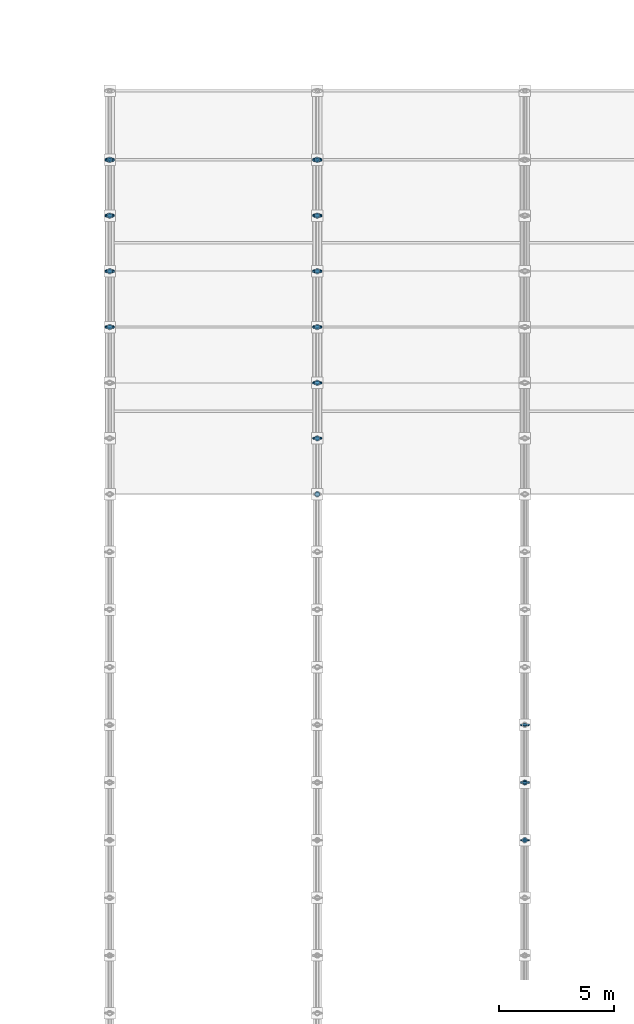
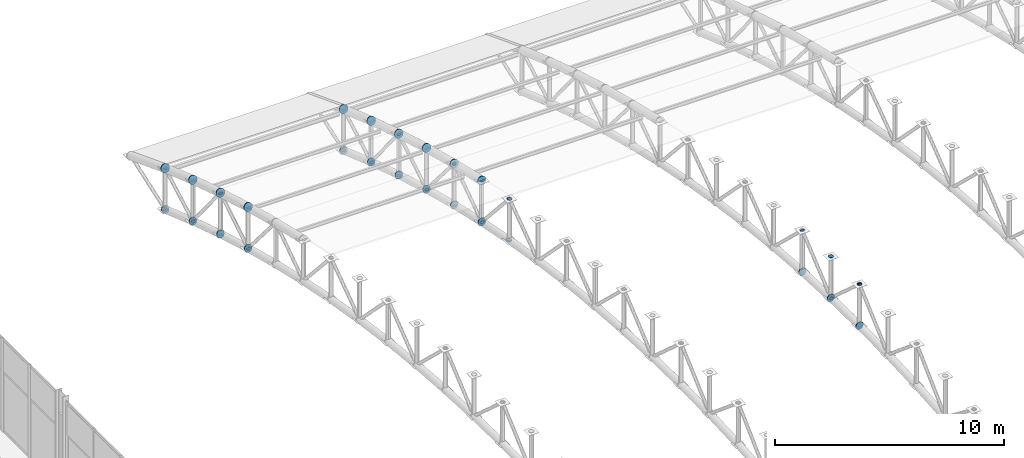
# One storey, part 156 of 195: 94 discrete accessories.
"""IFC4 building model written with IfcOpenShell, lengths in metres."""

from ifc_helpers import new_model, si_unit, direction, frame, origin, origin_2d, place, context, subcontext, project, spatial, circle, extrude, material, element, save


model = new_model("IFC4")

# Units and contexts
model_context = context("Model", 3, precision=1e-05, world=origin(), true_north=direction((0.0, 1.0)))
body_context = subcontext(model_context, "Body", "Model", "MODEL_VIEW")
ifc_project = project(units=[si_unit("LENGTHUNIT", "METRE"), si_unit("AREAUNIT", "SQUARE_METRE"), si_unit("VOLUMEUNIT", "CUBIC_METRE"), si_unit("PLANEANGLEUNIT", "RADIAN"), si_unit("MASSUNIT", "GRAM", prefix="KILO")], contexts=[model_context])

# Site, building, storey
site_placement = place(None, origin())
site = spatial("IfcSite", under=ifc_project, at=site_placement, CompositionType="ELEMENT")
building_placement = place(site_placement, origin())
building = spatial("IfcBuilding", under=site, at=building_placement, Name="Marlcrest Central Station", CompositionType="ELEMENT")
storey_placement = place(building_placement, frame((0.0, 0.0, 9.800048828125)))
storey = spatial("IfcBuildingStorey", under=building, at=storey_placement, Name="L02", CompositionType="ELEMENT", Elevation=9.800048828125)

# Discrete accessories
ifc_material = material(Name="Steel S355", Category="steel")
discrete_accessory_1_placement = place(storey_placement, frame((144.0, 88.225830078125, 3.934326171875), z_axis=(0.0, 0.967539481681, -0.252719906989), x_axis=(-1.0, 0.0, 0.0)))
element("IfcDiscreteAccessory", 1, at=discrete_accessory_1_placement, inside=storey, material=ifc_material, Name="endcap-mem-AC-01-L02-01172-e", ObjectType="END_CAP_PLATE", PredefinedType="BRACKET", context=body_context, shape_type="SweptSolid", body=[
    extrude(circle(Radius=0.211181640625, at=origin_2d()), origin(), (0.0, 0.0, 1.0), 0.0400390625),
])
discrete_accessory_2_placement = place(storey_placement, frame((144.0, 88.225830078125, 1.734375), z_axis=(0.0, 0.967563345928, -0.252628524946), x_axis=(-1.0, 0.0, 0.0)))
element("IfcDiscreteAccessory", 2, at=discrete_accessory_2_placement, inside=storey, material=ifc_material, Name="endcap-mem-AC-02-L02-01173-e", ObjectType="END_CAP_PLATE", PredefinedType="BRACKET", context=body_context, shape_type="SweptSolid", body=[
    extrude(circle(Radius=0.185791015625, at=origin_2d()), origin(), (0.0, 0.0, 1.0), 0.0400390625),
])
discrete_accessory_3_placement = place(storey_placement, frame((144.0, 88.233642578125, 1.7470703125), z_axis=(0.0, 0.649624779144, -0.760254987699), x_axis=(-1.0, 0.0, 0.0)))
element("IfcDiscreteAccessory", 3, at=discrete_accessory_3_placement, inside=storey, material=ifc_material, Name="endcap-mem-AD-01-L02-01175-e", ObjectType="END_CAP_PLATE", PredefinedType="BRACKET", context=body_context, shape_type="SweptSolid", body=[
    extrude(circle(Radius=0.092041015625, at=origin_2d()), origin(), (0.0, 0.0, 1.0), 0.0400390625),
])
for number, where, z_axis, x_axis, name in (
    (4, (144.0, 88.235595703125, 3.93212890625), (0.0, 0.960130083362, -0.27955361386), (-1.0, 0.0, 0.0), "endcap-mem-AC-01-L02-01176-s"),
    (5, (144.0, 90.64599609375, 3.23046875), (0.0, 0.960130083362, -0.27955361386), (-1.0, 0.0, 0.0), "endcap-mem-AC-01-L02-01176-e"),
):
    element("IfcDiscreteAccessory", number, at=place(storey_placement, frame(where, z_axis=z_axis, x_axis=x_axis)), inside=storey, material=ifc_material, Name=name, ObjectType="END_CAP_PLATE", PredefinedType="BRACKET", context=body_context, shape_type="SweptSolid", body=[
        extrude(circle(Radius=0.211181640625, at=origin_2d()), origin(), (0.0, 0.0, 1.0), 0.0400390625),
    ])
for number, where, z_axis, x_axis, name in (
    (6, (144.0, 88.235595703125, 1.732177734375), (0.0, 0.960130083362, -0.27955361386), (-1.0, 0.0, 0.0), "endcap-mem-AC-02-L02-01177-s"),
    (7, (144.0, 90.64599609375, 1.030517578125), (0.0, 0.960130083362, -0.27955361386), (-1.0, 0.0, 0.0), "endcap-mem-AC-02-L02-01177-e"),
):
    element("IfcDiscreteAccessory", number, at=place(storey_placement, frame(where, z_axis=z_axis, x_axis=x_axis)), inside=storey, material=ifc_material, Name=name, ObjectType="END_CAP_PLATE", PredefinedType="BRACKET", context=body_context, shape_type="SweptSolid", body=[
        extrude(circle(Radius=0.185791015625, at=origin_2d()), origin(), (0.0, 0.0, 1.0), 0.0400390625),
    ])
for number, where, z_axis, x_axis, name in (
    (8, (144.0, 88.25, 1.713134765625), (0.0, 0.0, 1.0), (1.0, 0.0, 0.0), "endcap-mem-AP-01-L02-01178-s"),
    (9, (144.0, 88.25, 3.903076171875), (0.0, 0.0, 1.0), (1.0, 0.0, 0.0), "endcap-mem-AP-01-L02-01178-e"),
):
    element("IfcDiscreteAccessory", number, at=place(storey_placement, frame(where, z_axis=z_axis, x_axis=x_axis)), inside=storey, material=ifc_material, Name=name, ObjectType="END_CAP_PLATE", PredefinedType="BRACKET", context=body_context, shape_type="SweptSolid", body=[
        extrude(circle(Radius=0.117431640625, at=origin_2d()), origin(), (0.0, 0.0, 1.0), 0.0400390625),
    ])
for number, where, z_axis, x_axis, name in (
    (10, (144.0, 88.2373046875, 1.72021484375), (0.0, 0.850687380038, 0.525671933286), (-1.0, 0.0, 0.0), "endcap-mem-AD-01-L02-01179-s"),
    (11, (144.0, 90.648681640625, 3.210205078125), (0.0, 0.850687380038, 0.525671933286), (-1.0, 0.0, 0.0), "endcap-mem-AD-01-L02-01179-e"),
):
    element("IfcDiscreteAccessory", number, at=place(storey_placement, frame(where, z_axis=z_axis, x_axis=x_axis)), inside=storey, material=ifc_material, Name=name, ObjectType="END_CAP_PLATE", PredefinedType="BRACKET", context=body_context, shape_type="SweptSolid", body=[
        extrude(circle(Radius=0.092041015625, at=origin_2d()), origin(), (0.0, 0.0, 1.0), 0.0400390625),
    ])
for number, where, z_axis, x_axis, name in (
    (12, (144.0, 90.65576171875, 3.22802734375), (0.0, 0.952116828449, -0.305734435391), (-1.0, 0.0, 0.0), "endcap-mem-AC-01-L02-01180-s"),
    (13, (144.0, 93.056396484375, 2.45703125), (0.0, 0.952116828449, -0.305734435391), (-1.0, 0.0, 0.0), "endcap-mem-AC-01-L02-01180-e"),
):
    element("IfcDiscreteAccessory", number, at=place(storey_placement, frame(where, z_axis=z_axis, x_axis=x_axis)), inside=storey, material=ifc_material, Name=name, ObjectType="END_CAP_PLATE", PredefinedType="BRACKET", context=body_context, shape_type="SweptSolid", body=[
        extrude(circle(Radius=0.211181640625, at=origin_2d()), origin(), (0.0, 0.0, 1.0), 0.0400390625),
    ])
for number, where, z_axis, x_axis, name in (
    (14, (144.0, 90.65576171875, 1.028076171875), (0.0, 0.952116828449, -0.305734435391), (-1.0, 0.0, 0.0), "endcap-mem-AC-02-L02-01181-s"),
    (15, (144.0, 93.056396484375, 0.257080078125), (0.0, 0.952116828449, -0.305734435391), (-1.0, 0.0, 0.0), "endcap-mem-AC-02-L02-01181-e"),
):
    element("IfcDiscreteAccessory", number, at=place(storey_placement, frame(where, z_axis=z_axis, x_axis=x_axis)), inside=storey, material=ifc_material, Name=name, ObjectType="END_CAP_PLATE", PredefinedType="BRACKET", context=body_context, shape_type="SweptSolid", body=[
        extrude(circle(Radius=0.185791015625, at=origin_2d()), origin(), (0.0, 0.0, 1.0), 0.0400390625),
    ])
for number, where, z_axis, x_axis, name in (
    (16, (144.0, 90.669921875, 1.008544921875), (0.0, 0.0, 1.0), (1.0, 0.0, 0.0), "endcap-mem-AP-01-L02-01182-s"),
    (17, (144.0, 90.669921875, 3.198486328125), (0.0, 0.0, 1.0), (1.0, 0.0, 0.0), "endcap-mem-AP-01-L02-01182-e"),
):
    element("IfcDiscreteAccessory", number, at=place(storey_placement, frame(where, z_axis=z_axis, x_axis=x_axis)), inside=storey, material=ifc_material, Name=name, ObjectType="END_CAP_PLATE", PredefinedType="BRACKET", context=body_context, shape_type="SweptSolid", body=[
        extrude(circle(Radius=0.117431640625, at=origin_2d()), origin(), (0.0, 0.0, 1.0), 0.0400390625),
    ])
for number, where, z_axis, x_axis, name in (
    (18, (144.0, 90.660400390625, 3.235107421875), (0.0, 0.62962929743, -0.776895712318), (-1.0, 0.0, 0.0), "endcap-mem-AD-01-L02-01183-s"),
    (19, (144.0, 93.064453125, 0.26904296875), (0.0, 0.62962929743, -0.776895712318), (-1.0, 0.0, 0.0), "endcap-mem-AD-01-L02-01183-e"),
):
    element("IfcDiscreteAccessory", number, at=place(storey_placement, frame(where, z_axis=z_axis, x_axis=x_axis)), inside=storey, material=ifc_material, Name=name, ObjectType="END_CAP_PLATE", PredefinedType="BRACKET", context=body_context, shape_type="SweptSolid", body=[
        extrude(circle(Radius=0.092041015625, at=origin_2d()), origin(), (0.0, 0.0, 1.0), 0.0400390625),
    ])
for number, where, z_axis, x_axis, name in (
    (20, (144.0, 93.06591796875, 2.454345703125), (0.0, 0.94353735649, -0.331266142109), (-1.0, 0.0, 0.0), "endcap-mem-AC-01-L02-01184-s"),
    (21, (144.0, 95.476318359375, 1.608154296875), (0.0, 0.94353735649, -0.331266142109), (-1.0, 0.0, 0.0), "endcap-mem-AC-01-L02-01184-e"),
):
    element("IfcDiscreteAccessory", number, at=place(storey_placement, frame(where, z_axis=z_axis, x_axis=x_axis)), inside=storey, material=ifc_material, Name=name, ObjectType="END_CAP_PLATE", PredefinedType="BRACKET", context=body_context, shape_type="SweptSolid", body=[
        extrude(circle(Radius=0.211181640625, at=origin_2d()), origin(), (0.0, 0.0, 1.0), 0.0400390625),
    ])
for number, where, z_axis, x_axis, name in (
    (22, (144.0, 93.06591796875, 0.25439453125), (0.0, 0.94353735649, -0.331266142109), (-1.0, 0.0, 0.0), "endcap-mem-AC-02-L02-01185-s"),
    (23, (144.0, 95.476318359375, -0.591796875), (0.0, 0.94353735649, -0.331266142109), (-1.0, 0.0, 0.0), "endcap-mem-AC-02-L02-01185-e"),
):
    element("IfcDiscreteAccessory", number, at=place(storey_placement, frame(where, z_axis=z_axis, x_axis=x_axis)), inside=storey, material=ifc_material, Name=name, ObjectType="END_CAP_PLATE", PredefinedType="BRACKET", context=body_context, shape_type="SweptSolid", body=[
        extrude(circle(Radius=0.185791015625, at=origin_2d()), origin(), (0.0, 0.0, 1.0), 0.0400390625),
    ])
for number, where, z_axis, x_axis, name in (
    (24, (144.0, 93.080078125, 0.234619140625), (0.0, 0.0, 1.0), (1.0, 0.0, 0.0), "endcap-mem-AP-01-L02-01186-s"),
    (25, (144.0, 93.080078125, 2.424560546875), (0.0, 0.0, 1.0), (1.0, 0.0, 0.0), "endcap-mem-AP-01-L02-01186-e"),
):
    element("IfcDiscreteAccessory", number, at=place(storey_placement, frame(where, z_axis=z_axis, x_axis=x_axis)), inside=storey, material=ifc_material, Name=name, ObjectType="END_CAP_PLATE", PredefinedType="BRACKET", context=body_context, shape_type="SweptSolid", body=[
        extrude(circle(Radius=0.117431640625, at=origin_2d()), origin(), (0.0, 0.0, 1.0), 0.0400390625),
    ])
for number, where, z_axis, x_axis, name in (
    (26, (144.0, 93.06689453125, 0.2421875), (0.0, 0.873245653167, 0.487280236851), (-1.0, 0.0, 0.0), "endcap-mem-AD-01-L02-01187-s"),
    (27, (144.0, 95.478271484375, 1.587646484375), (0.0, 0.873245653167, 0.487280236851), (-1.0, 0.0, 0.0), "endcap-mem-AD-01-L02-01187-e"),
):
    element("IfcDiscreteAccessory", number, at=place(storey_placement, frame(where, z_axis=z_axis, x_axis=x_axis)), inside=storey, material=ifc_material, Name=name, ObjectType="END_CAP_PLATE", PredefinedType="BRACKET", context=body_context, shape_type="SweptSolid", body=[
        extrude(circle(Radius=0.092041015625, at=origin_2d()), origin(), (0.0, 0.0, 1.0), 0.0400390625),
    ])
discrete_accessory_4_placement = place(storey_placement, frame((144.0, 95.486083984375, 1.605224609375), z_axis=(0.0, 0.933324071143, -0.359035065453), x_axis=(-1.0, 0.0, 0.0)))
element("IfcDiscreteAccessory", 28, at=discrete_accessory_4_placement, inside=storey, material=ifc_material, Name="endcap-mem-AC-01-L02-01188-s", ObjectType="END_CAP_PLATE", PredefinedType="BRACKET", context=body_context, shape_type="SweptSolid", body=[
    extrude(circle(Radius=0.211181640625, at=origin_2d()), origin(), (0.0, 0.0, 1.0), 0.0400390625),
])
for number, where, z_axis, x_axis, name in (
    (29, (144.0, 95.5, -0.614990234375), (0.0, 0.0, 1.0), (1.0, 0.0, 0.0), "endcap-mem-AP-01-L02-01189-s"),
    (30, (144.0, 95.5, 1.574951171875), (0.0, 0.0, 1.0), (1.0, 0.0, 0.0), "endcap-mem-AP-01-L02-01189-e"),
):
    element("IfcDiscreteAccessory", number, at=place(storey_placement, frame(where, z_axis=z_axis, x_axis=x_axis)), inside=storey, material=ifc_material, Name=name, ObjectType="END_CAP_PLATE", PredefinedType="BRACKET", context=body_context, shape_type="SweptSolid", body=[
        extrude(circle(Radius=0.117431640625, at=origin_2d()), origin(), (0.0, 0.0, 1.0), 0.0400390625),
    ])
discrete_accessory_5_placement = place(storey_placement, frame((144.0, 95.48583984375, -0.60498046875), z_axis=(0.0, 0.944260188635, 0.329200085296), x_axis=(-1.0, 0.0, 0.0)))
element("IfcDiscreteAccessory", 31, at=discrete_accessory_5_placement, inside=storey, material=ifc_material, Name="endcap-mem-AD-01-L02-01190-s", ObjectType="END_CAP_PLATE", PredefinedType="BRACKET", context=body_context, shape_type="SweptSolid", body=[
    extrude(circle(Radius=0.092041015625, at=origin_2d()), origin(), (0.0, 0.0, 1.0), 0.0400390625),
])
discrete_accessory_6_placement = place(storey_placement, frame((153.0, 83.3955078125, 2.921875), z_axis=(0.0, 0.980359417961, -0.197219196874), x_axis=(-1.0, 0.0, 0.0)))
element("IfcDiscreteAccessory", 32, at=discrete_accessory_6_placement, inside=storey, material=ifc_material, Name="endcap-mem-AC-02-L02-01281-e", ObjectType="END_CAP_PLATE", PredefinedType="BRACKET", context=body_context, shape_type="SweptSolid", body=[
    extrude(circle(Radius=0.185791015625, at=origin_2d()), origin(), (0.0, 0.0, 1.0), 0.0400390625),
])
for number, where, z_axis, x_axis, name in (
    (33, (153.0, 81.0, 3.388916015625), (0.0, 0.0, 1.0), (1.0, 0.0, 0.0), "endcap-mem-AP-01-L02-01282-s"),
    (34, (153.0, 81.0, 5.578857421875), (0.0, 0.0, 1.0), (1.0, 0.0, 0.0), "endcap-mem-AP-01-L02-01282-e"),
):
    element("IfcDiscreteAccessory", number, at=place(storey_placement, frame(where, z_axis=z_axis, x_axis=x_axis)), inside=storey, material=ifc_material, Name=name, ObjectType="END_CAP_PLATE", PredefinedType="BRACKET", context=body_context, shape_type="SweptSolid", body=[
        extrude(circle(Radius=0.117431640625, at=origin_2d()), origin(), (0.0, 0.0, 1.0), 0.0400390625),
    ])
for number, where, z_axis, x_axis, name in (
    (35, (153.0, 80.989990234375, 5.614990234375), (0.0, 0.669244457479, -0.743042297675), (-1.0, 0.0, 0.0), "endcap-mem-AD-01-L02-01283-s"),
    (36, (153.0, 83.403076171875, 2.935546875), (0.0, 0.669244457479, -0.743042297675), (-1.0, 0.0, 0.0), "endcap-mem-AD-01-L02-01283-e"),
):
    element("IfcDiscreteAccessory", number, at=place(storey_placement, frame(where, z_axis=z_axis, x_axis=x_axis)), inside=storey, material=ifc_material, Name=name, ObjectType="END_CAP_PLATE", PredefinedType="BRACKET", context=body_context, shape_type="SweptSolid", body=[
        extrude(circle(Radius=0.092041015625, at=origin_2d()), origin(), (0.0, 0.0, 1.0), 0.0400390625),
    ])
for number, where, z_axis, x_axis, name in (
    (37, (153.0, 83.4052734375, 5.120361328125), (0.0, 0.974329612642, -0.225126200004), (-1.0, 0.0, 0.0), "endcap-mem-AC-01-L02-01284-s"),
    (38, (153.0, 85.8056640625, 4.565673828125), (0.0, 0.974329612642, -0.225126200004), (-1.0, 0.0, 0.0), "endcap-mem-AC-01-L02-01284-e"),
):
    element("IfcDiscreteAccessory", number, at=place(storey_placement, frame(where, z_axis=z_axis, x_axis=x_axis)), inside=storey, material=ifc_material, Name=name, ObjectType="END_CAP_PLATE", PredefinedType="BRACKET", context=body_context, shape_type="SweptSolid", body=[
        extrude(circle(Radius=0.211181640625, at=origin_2d()), origin(), (0.0, 0.0, 1.0), 0.0400390625),
    ])
for number, where, z_axis, x_axis, name in (
    (39, (153.0, 83.4052734375, 2.92041015625), (0.0, 0.974307959875, -0.225219891049), (-1.0, 0.0, 0.0), "endcap-mem-AC-02-L02-01285-s"),
    (40, (153.0, 85.8056640625, 2.365478515625), (0.0, 0.974307959875, -0.225219891049), (-1.0, 0.0, 0.0), "endcap-mem-AC-02-L02-01285-e"),
):
    element("IfcDiscreteAccessory", number, at=place(storey_placement, frame(where, z_axis=z_axis, x_axis=x_axis)), inside=storey, material=ifc_material, Name=name, ObjectType="END_CAP_PLATE", PredefinedType="BRACKET", context=body_context, shape_type="SweptSolid", body=[
        extrude(circle(Radius=0.185791015625, at=origin_2d()), origin(), (0.0, 0.0, 1.0), 0.0400390625),
    ])
for number, where, z_axis, x_axis, name in (
    (41, (153.0, 83.419921875, 2.902099609375), (0.0, 0.0, 1.0), (1.0, 0.0, 0.0), "endcap-mem-AP-01-L02-01286-s"),
    (42, (153.0, 83.419921875, 5.092041015625), (0.0, 0.0, 1.0), (1.0, 0.0, 0.0), "endcap-mem-AP-01-L02-01286-e"),
):
    element("IfcDiscreteAccessory", number, at=place(storey_placement, frame(where, z_axis=z_axis, x_axis=x_axis)), inside=storey, material=ifc_material, Name=name, ObjectType="END_CAP_PLATE", PredefinedType="BRACKET", context=body_context, shape_type="SweptSolid", body=[
        extrude(circle(Radius=0.117431640625, at=origin_2d()), origin(), (0.0, 0.0, 1.0), 0.0400390625),
    ])
for number, where, z_axis, x_axis, name in (
    (43, (153.0, 83.407470703125, 2.908447265625), (0.0, 0.82626275624, 0.563284881432), (-1.0, 0.0, 0.0), "endcap-mem-AD-01-L02-01287-s"),
    (44, (153.0, 85.809326171875, 4.5458984375), (0.0, 0.82626275624, 0.563284881432), (-1.0, 0.0, 0.0), "endcap-mem-AD-01-L02-01287-e"),
):
    element("IfcDiscreteAccessory", number, at=place(storey_placement, frame(where, z_axis=z_axis, x_axis=x_axis)), inside=storey, material=ifc_material, Name=name, ObjectType="END_CAP_PLATE", PredefinedType="BRACKET", context=body_context, shape_type="SweptSolid", body=[
        extrude(circle(Radius=0.092041015625, at=origin_2d()), origin(), (0.0, 0.0, 1.0), 0.0400390625),
    ])
for number, where, z_axis, x_axis, name in (
    (45, (153.0, 85.815673828125, 4.56396484375), (0.0, 0.967539481681, -0.252719906989), (-1.0, 0.0, 0.0), "endcap-mem-AC-01-L02-01288-s"),
    (46, (153.0, 88.225830078125, 3.934326171875), (0.0, 0.967539481681, -0.252719906989), (-1.0, 0.0, 0.0), "endcap-mem-AC-01-L02-01288-e"),
):
    element("IfcDiscreteAccessory", number, at=place(storey_placement, frame(where, z_axis=z_axis, x_axis=x_axis)), inside=storey, material=ifc_material, Name=name, ObjectType="END_CAP_PLATE", PredefinedType="BRACKET", context=body_context, shape_type="SweptSolid", body=[
        extrude(circle(Radius=0.211181640625, at=origin_2d()), origin(), (0.0, 0.0, 1.0), 0.0400390625),
    ])
for number, where, z_axis, x_axis, name in (
    (47, (153.0, 85.815673828125, 2.36376953125), (0.0, 0.967563345928, -0.252628524946), (-1.0, 0.0, 0.0), "endcap-mem-AC-02-L02-01289-s"),
    (48, (153.0, 88.225830078125, 1.734375), (0.0, 0.967563345928, -0.252628524946), (-1.0, 0.0, 0.0), "endcap-mem-AC-02-L02-01289-e"),
):
    element("IfcDiscreteAccessory", number, at=place(storey_placement, frame(where, z_axis=z_axis, x_axis=x_axis)), inside=storey, material=ifc_material, Name=name, ObjectType="END_CAP_PLATE", PredefinedType="BRACKET", context=body_context, shape_type="SweptSolid", body=[
        extrude(circle(Radius=0.185791015625, at=origin_2d()), origin(), (0.0, 0.0, 1.0), 0.0400390625),
    ])
for number, where, z_axis, x_axis, name in (
    (49, (153.0, 85.830078125, 2.344970703125), (0.0, 0.0, 1.0), (1.0, 0.0, 0.0), "endcap-mem-AP-01-L02-01290-s"),
    (50, (153.0, 85.830078125, 4.53515625), (0.0, 0.0, 1.0), (1.0, 0.0, 0.0), "endcap-mem-AP-01-L02-01290-e"),
):
    element("IfcDiscreteAccessory", number, at=place(storey_placement, frame(where, z_axis=z_axis, x_axis=x_axis)), inside=storey, material=ifc_material, Name=name, ObjectType="END_CAP_PLATE", PredefinedType="BRACKET", context=body_context, shape_type="SweptSolid", body=[
        extrude(circle(Radius=0.117431640625, at=origin_2d()), origin(), (0.0, 0.0, 1.0), 0.0400390625),
    ])
for number, where, z_axis, x_axis, name in (
    (51, (153.0, 85.8203125, 4.571533203125), (0.0, 0.649624779144, -0.760254987699), (-1.0, 0.0, 0.0), "endcap-mem-AD-01-L02-01291-s"),
    (52, (153.0, 88.233642578125, 1.7470703125), (0.0, 0.649624779144, -0.760254987699), (-1.0, 0.0, 0.0), "endcap-mem-AD-01-L02-01291-e"),
):
    element("IfcDiscreteAccessory", number, at=place(storey_placement, frame(where, z_axis=z_axis, x_axis=x_axis)), inside=storey, material=ifc_material, Name=name, ObjectType="END_CAP_PLATE", PredefinedType="BRACKET", context=body_context, shape_type="SweptSolid", body=[
        extrude(circle(Radius=0.092041015625, at=origin_2d()), origin(), (0.0, 0.0, 1.0), 0.0400390625),
    ])
for number, where, z_axis, x_axis, name in (
    (53, (153.0, 88.235595703125, 3.93212890625), (0.0, 0.960130083362, -0.27955361386), (-1.0, 0.0, 0.0), "endcap-mem-AC-01-L02-01292-s"),
    (54, (153.0, 90.64599609375, 3.23046875), (0.0, 0.960130083362, -0.27955361386), (-1.0, 0.0, 0.0), "endcap-mem-AC-01-L02-01292-e"),
):
    element("IfcDiscreteAccessory", number, at=place(storey_placement, frame(where, z_axis=z_axis, x_axis=x_axis)), inside=storey, material=ifc_material, Name=name, ObjectType="END_CAP_PLATE", PredefinedType="BRACKET", context=body_context, shape_type="SweptSolid", body=[
        extrude(circle(Radius=0.211181640625, at=origin_2d()), origin(), (0.0, 0.0, 1.0), 0.0400390625),
    ])
for number, where, z_axis, x_axis, name in (
    (55, (153.0, 88.235595703125, 1.732177734375), (0.0, 0.960130083362, -0.27955361386), (-1.0, 0.0, 0.0), "endcap-mem-AC-02-L02-01293-s"),
    (56, (153.0, 90.64599609375, 1.030517578125), (0.0, 0.960130083362, -0.27955361386), (-1.0, 0.0, 0.0), "endcap-mem-AC-02-L02-01293-e"),
):
    element("IfcDiscreteAccessory", number, at=place(storey_placement, frame(where, z_axis=z_axis, x_axis=x_axis)), inside=storey, material=ifc_material, Name=name, ObjectType="END_CAP_PLATE", PredefinedType="BRACKET", context=body_context, shape_type="SweptSolid", body=[
        extrude(circle(Radius=0.185791015625, at=origin_2d()), origin(), (0.0, 0.0, 1.0), 0.0400390625),
    ])
for number, where, z_axis, x_axis, name in (
    (57, (153.0, 88.25, 1.713134765625), (0.0, 0.0, 1.0), (1.0, 0.0, 0.0), "endcap-mem-AP-01-L02-01294-s"),
    (58, (153.0, 88.25, 3.903076171875), (0.0, 0.0, 1.0), (1.0, 0.0, 0.0), "endcap-mem-AP-01-L02-01294-e"),
):
    element("IfcDiscreteAccessory", number, at=place(storey_placement, frame(where, z_axis=z_axis, x_axis=x_axis)), inside=storey, material=ifc_material, Name=name, ObjectType="END_CAP_PLATE", PredefinedType="BRACKET", context=body_context, shape_type="SweptSolid", body=[
        extrude(circle(Radius=0.117431640625, at=origin_2d()), origin(), (0.0, 0.0, 1.0), 0.0400390625),
    ])
for number, where, z_axis, x_axis, name in (
    (59, (153.0, 88.2373046875, 1.72021484375), (0.0, 0.850687380038, 0.525671933286), (-1.0, 0.0, 0.0), "endcap-mem-AD-01-L02-01295-s"),
    (60, (153.0, 90.648681640625, 3.210205078125), (0.0, 0.850687380038, 0.525671933286), (-1.0, 0.0, 0.0), "endcap-mem-AD-01-L02-01295-e"),
):
    element("IfcDiscreteAccessory", number, at=place(storey_placement, frame(where, z_axis=z_axis, x_axis=x_axis)), inside=storey, material=ifc_material, Name=name, ObjectType="END_CAP_PLATE", PredefinedType="BRACKET", context=body_context, shape_type="SweptSolid", body=[
        extrude(circle(Radius=0.092041015625, at=origin_2d()), origin(), (0.0, 0.0, 1.0), 0.0400390625),
    ])
for number, where, z_axis, x_axis, name in (
    (61, (153.0, 90.65576171875, 3.22802734375), (0.0, 0.952116828449, -0.305734435391), (-1.0, 0.0, 0.0), "endcap-mem-AC-01-L02-01296-s"),
    (62, (153.0, 93.056396484375, 2.45703125), (0.0, 0.952116828449, -0.305734435391), (-1.0, 0.0, 0.0), "endcap-mem-AC-01-L02-01296-e"),
):
    element("IfcDiscreteAccessory", number, at=place(storey_placement, frame(where, z_axis=z_axis, x_axis=x_axis)), inside=storey, material=ifc_material, Name=name, ObjectType="END_CAP_PLATE", PredefinedType="BRACKET", context=body_context, shape_type="SweptSolid", body=[
        extrude(circle(Radius=0.211181640625, at=origin_2d()), origin(), (0.0, 0.0, 1.0), 0.0400390625),
    ])
for number, where, z_axis, x_axis, name in (
    (63, (153.0, 90.65576171875, 1.028076171875), (0.0, 0.952116828449, -0.305734435391), (-1.0, 0.0, 0.0), "endcap-mem-AC-02-L02-01297-s"),
    (64, (153.0, 93.056396484375, 0.257080078125), (0.0, 0.952116828449, -0.305734435391), (-1.0, 0.0, 0.0), "endcap-mem-AC-02-L02-01297-e"),
):
    element("IfcDiscreteAccessory", number, at=place(storey_placement, frame(where, z_axis=z_axis, x_axis=x_axis)), inside=storey, material=ifc_material, Name=name, ObjectType="END_CAP_PLATE", PredefinedType="BRACKET", context=body_context, shape_type="SweptSolid", body=[
        extrude(circle(Radius=0.185791015625, at=origin_2d()), origin(), (0.0, 0.0, 1.0), 0.0400390625),
    ])
for number, where, z_axis, x_axis, name in (
    (65, (153.0, 90.669921875, 1.008544921875), (0.0, 0.0, 1.0), (1.0, 0.0, 0.0), "endcap-mem-AP-01-L02-01298-s"),
    (66, (153.0, 90.669921875, 3.198486328125), (0.0, 0.0, 1.0), (1.0, 0.0, 0.0), "endcap-mem-AP-01-L02-01298-e"),
):
    element("IfcDiscreteAccessory", number, at=place(storey_placement, frame(where, z_axis=z_axis, x_axis=x_axis)), inside=storey, material=ifc_material, Name=name, ObjectType="END_CAP_PLATE", PredefinedType="BRACKET", context=body_context, shape_type="SweptSolid", body=[
        extrude(circle(Radius=0.117431640625, at=origin_2d()), origin(), (0.0, 0.0, 1.0), 0.0400390625),
    ])
for number, where, z_axis, x_axis, name in (
    (67, (153.0, 90.660400390625, 3.235107421875), (0.0, 0.62962929743, -0.776895712318), (-1.0, 0.0, 0.0), "endcap-mem-AD-01-L02-01299-s"),
    (68, (153.0, 93.064453125, 0.26904296875), (0.0, 0.62962929743, -0.776895712318), (-1.0, 0.0, 0.0), "endcap-mem-AD-01-L02-01299-e"),
):
    element("IfcDiscreteAccessory", number, at=place(storey_placement, frame(where, z_axis=z_axis, x_axis=x_axis)), inside=storey, material=ifc_material, Name=name, ObjectType="END_CAP_PLATE", PredefinedType="BRACKET", context=body_context, shape_type="SweptSolid", body=[
        extrude(circle(Radius=0.092041015625, at=origin_2d()), origin(), (0.0, 0.0, 1.0), 0.0400390625),
    ])
for number, where, z_axis, x_axis, name in (
    (69, (153.0, 93.06591796875, 2.454345703125), (0.0, 0.94353735649, -0.331266142109), (-1.0, 0.0, 0.0), "endcap-mem-AC-01-L02-01300-s"),
    (70, (153.0, 95.476318359375, 1.608154296875), (0.0, 0.94353735649, -0.331266142109), (-1.0, 0.0, 0.0), "endcap-mem-AC-01-L02-01300-e"),
):
    element("IfcDiscreteAccessory", number, at=place(storey_placement, frame(where, z_axis=z_axis, x_axis=x_axis)), inside=storey, material=ifc_material, Name=name, ObjectType="END_CAP_PLATE", PredefinedType="BRACKET", context=body_context, shape_type="SweptSolid", body=[
        extrude(circle(Radius=0.211181640625, at=origin_2d()), origin(), (0.0, 0.0, 1.0), 0.0400390625),
    ])
for number, where, z_axis, x_axis, name in (
    (71, (153.0, 93.06591796875, 0.25439453125), (0.0, 0.94353735649, -0.331266142109), (-1.0, 0.0, 0.0), "endcap-mem-AC-02-L02-01301-s"),
    (72, (153.0, 95.476318359375, -0.591796875), (0.0, 0.94353735649, -0.331266142109), (-1.0, 0.0, 0.0), "endcap-mem-AC-02-L02-01301-e"),
):
    element("IfcDiscreteAccessory", number, at=place(storey_placement, frame(where, z_axis=z_axis, x_axis=x_axis)), inside=storey, material=ifc_material, Name=name, ObjectType="END_CAP_PLATE", PredefinedType="BRACKET", context=body_context, shape_type="SweptSolid", body=[
        extrude(circle(Radius=0.185791015625, at=origin_2d()), origin(), (0.0, 0.0, 1.0), 0.0400390625),
    ])
for number, where, z_axis, x_axis, name in (
    (73, (153.0, 93.080078125, 0.234619140625), (0.0, 0.0, 1.0), (1.0, 0.0, 0.0), "endcap-mem-AP-01-L02-01302-s"),
    (74, (153.0, 93.080078125, 2.424560546875), (0.0, 0.0, 1.0), (1.0, 0.0, 0.0), "endcap-mem-AP-01-L02-01302-e"),
):
    element("IfcDiscreteAccessory", number, at=place(storey_placement, frame(where, z_axis=z_axis, x_axis=x_axis)), inside=storey, material=ifc_material, Name=name, ObjectType="END_CAP_PLATE", PredefinedType="BRACKET", context=body_context, shape_type="SweptSolid", body=[
        extrude(circle(Radius=0.117431640625, at=origin_2d()), origin(), (0.0, 0.0, 1.0), 0.0400390625),
    ])
for number, where, z_axis, x_axis, name in (
    (75, (153.0, 93.06689453125, 0.2421875), (0.0, 0.873245653167, 0.487280236851), (-1.0, 0.0, 0.0), "endcap-mem-AD-01-L02-01303-s"),
    (76, (153.0, 95.478271484375, 1.587646484375), (0.0, 0.873245653167, 0.487280236851), (-1.0, 0.0, 0.0), "endcap-mem-AD-01-L02-01303-e"),
):
    element("IfcDiscreteAccessory", number, at=place(storey_placement, frame(where, z_axis=z_axis, x_axis=x_axis)), inside=storey, material=ifc_material, Name=name, ObjectType="END_CAP_PLATE", PredefinedType="BRACKET", context=body_context, shape_type="SweptSolid", body=[
        extrude(circle(Radius=0.092041015625, at=origin_2d()), origin(), (0.0, 0.0, 1.0), 0.0400390625),
    ])
discrete_accessory_7_placement = place(storey_placement, frame((153.0, 95.486083984375, 1.605224609375), z_axis=(0.0, 0.933324071143, -0.359035065453), x_axis=(-1.0, 0.0, 0.0)))
element("IfcDiscreteAccessory", 77, at=discrete_accessory_7_placement, inside=storey, material=ifc_material, Name="endcap-mem-AC-01-L02-01304-s", ObjectType="END_CAP_PLATE", PredefinedType="BRACKET", context=body_context, shape_type="SweptSolid", body=[
    extrude(circle(Radius=0.211181640625, at=origin_2d()), origin(), (0.0, 0.0, 1.0), 0.0400390625),
])
for number, where, z_axis, x_axis, name in (
    (78, (153.0, 95.5, -0.614990234375), (0.0, 0.0, 1.0), (1.0, 0.0, 0.0), "endcap-mem-AP-01-L02-01305-s"),
    (79, (153.0, 95.5, 1.574951171875), (0.0, 0.0, 1.0), (1.0, 0.0, 0.0), "endcap-mem-AP-01-L02-01305-e"),
):
    element("IfcDiscreteAccessory", number, at=place(storey_placement, frame(where, z_axis=z_axis, x_axis=x_axis)), inside=storey, material=ifc_material, Name=name, ObjectType="END_CAP_PLATE", PredefinedType="BRACKET", context=body_context, shape_type="SweptSolid", body=[
        extrude(circle(Radius=0.117431640625, at=origin_2d()), origin(), (0.0, 0.0, 1.0), 0.0400390625),
    ])
discrete_accessory_8_placement = place(storey_placement, frame((153.0, 95.48583984375, -0.60498046875), z_axis=(0.0, 0.944260188635, 0.329200085296), x_axis=(-1.0, 0.0, 0.0)))
element("IfcDiscreteAccessory", 80, at=discrete_accessory_8_placement, inside=storey, material=ifc_material, Name="endcap-mem-AD-01-L02-01306-s", ObjectType="END_CAP_PLATE", PredefinedType="BRACKET", context=body_context, shape_type="SweptSolid", body=[
    extrude(circle(Radius=0.092041015625, at=origin_2d()), origin(), (0.0, 0.0, 1.0), 0.0400390625),
])
discrete_accessory_9_placement = place(storey_placement, frame((162.0, 65.97509765625, 4.799560546875), z_axis=(0.0, 0.999879472592, 0.01552547228), x_axis=(-1.0, 0.0, 0.0)))
element("IfcDiscreteAccessory", 81, at=discrete_accessory_9_placement, inside=storey, material=ifc_material, Name="endcap-mem-AC-02-L02-01369-e", ObjectType="END_CAP_PLATE", PredefinedType="BRACKET", context=body_context, shape_type="SweptSolid", body=[
    extrude(circle(Radius=0.185791015625, at=origin_2d()), origin(), (0.0, 0.0, 1.0), 0.0400390625),
])
discrete_accessory_10_placement = place(storey_placement, frame((162.0, 65.9814453125, 6.9833984375), z_axis=(0.0, 0.744955843007, 0.66711377738), x_axis=(-1.0, 0.0, 0.0)))
element("IfcDiscreteAccessory", 82, at=discrete_accessory_10_placement, inside=storey, material=ifc_material, Name="endcap-mem-AD-01-L02-01371-e", ObjectType="END_CAP_PLATE", PredefinedType="BRACKET", context=body_context, shape_type="SweptSolid", body=[
    extrude(circle(Radius=0.092041015625, at=origin_2d()), origin(), (0.0, 0.0, 1.0), 0.0400390625),
])
for number, where, z_axis, x_axis, name in (
    (83, (162.0, 65.985107421875, 4.80029296875), (0.0, 0.999879472592, -0.01552547228), (-1.0, 0.0, 0.0), "endcap-mem-AC-02-L02-01373-s"),
    (84, (162.0, 68.47509765625, 4.76171875), (0.0, 0.999879472592, -0.01552547228), (-1.0, 0.0, 0.0), "endcap-mem-AC-02-L02-01373-e"),
):
    element("IfcDiscreteAccessory", number, at=place(storey_placement, frame(where, z_axis=z_axis, x_axis=x_axis)), inside=storey, material=ifc_material, Name=name, ObjectType="END_CAP_PLATE", PredefinedType="BRACKET", context=body_context, shape_type="SweptSolid", body=[
        extrude(circle(Radius=0.185791015625, at=origin_2d()), origin(), (0.0, 0.0, 1.0), 0.0400390625),
    ])
for number, where, z_axis, x_axis, name in (
    (85, (162.0, 66.0, 4.78515625), (0.0, 0.0, 1.0), (1.0, 0.0, 0.0), "endcap-mem-AP-01-L02-01374-s"),
    (86, (162.0, 66.0, 6.97509765625), (0.0, 0.0, 1.0), (1.0, 0.0, 0.0), "endcap-mem-AP-01-L02-01374-e"),
):
    element("IfcDiscreteAccessory", number, at=place(storey_placement, frame(where, z_axis=z_axis, x_axis=x_axis)), inside=storey, material=ifc_material, Name=name, ObjectType="END_CAP_PLATE", PredefinedType="BRACKET", context=body_context, shape_type="SweptSolid", body=[
        extrude(circle(Radius=0.117431640625, at=origin_2d()), origin(), (0.0, 0.0, 1.0), 0.0400390625),
    ])
for number, where, z_axis, x_axis, name in (
    (87, (162.0, 65.98876953125, 7.010009765625), (0.0, 0.744955843007, -0.66711377738), (-1.0, 0.0, 0.0), "endcap-mem-AD-01-L02-01375-s"),
    (88, (162.0, 68.4814453125, 4.77783203125), (0.0, 0.744955843007, -0.66711377738), (-1.0, 0.0, 0.0), "endcap-mem-AD-01-L02-01375-e"),
):
    element("IfcDiscreteAccessory", number, at=place(storey_placement, frame(where, z_axis=z_axis, x_axis=x_axis)), inside=storey, material=ifc_material, Name=name, ObjectType="END_CAP_PLATE", PredefinedType="BRACKET", context=body_context, shape_type="SweptSolid", body=[
        extrude(circle(Radius=0.092041015625, at=origin_2d()), origin(), (0.0, 0.0, 1.0), 0.0400390625),
    ])
for number, where, z_axis, x_axis, name in (
    (89, (162.0, 68.485107421875, 4.761962890625), (0.0, 0.998916819647, -0.046531574509), (-1.0, 0.0, 0.0), "endcap-mem-AC-02-L02-01377-s"),
    (90, (162.0, 70.97509765625, 4.64599609375), (0.0, 0.998916819647, -0.046531574509), (-1.0, 0.0, 0.0), "endcap-mem-AC-02-L02-01377-e"),
):
    element("IfcDiscreteAccessory", number, at=place(storey_placement, frame(where, z_axis=z_axis, x_axis=x_axis)), inside=storey, material=ifc_material, Name=name, ObjectType="END_CAP_PLATE", PredefinedType="BRACKET", context=body_context, shape_type="SweptSolid", body=[
        extrude(circle(Radius=0.185791015625, at=origin_2d()), origin(), (0.0, 0.0, 1.0), 0.0400390625),
    ])
for number, where, z_axis, x_axis, name in (
    (91, (162.0, 68.5, 4.746337890625), (0.0, 0.0, 1.0), (1.0, 0.0, 0.0), "endcap-mem-AP-01-L02-01378-s"),
    (92, (162.0, 68.5, 6.936279296875), (0.0, 0.0, 1.0), (1.0, 0.0, 0.0), "endcap-mem-AP-01-L02-01378-e"),
):
    element("IfcDiscreteAccessory", number, at=place(storey_placement, frame(where, z_axis=z_axis, x_axis=x_axis)), inside=storey, material=ifc_material, Name=name, ObjectType="END_CAP_PLATE", PredefinedType="BRACKET", context=body_context, shape_type="SweptSolid", body=[
        extrude(circle(Radius=0.117431640625, at=origin_2d()), origin(), (0.0, 0.0, 1.0), 0.0400390625),
    ])
for number, where, z_axis, x_axis, name in (
    (93, (162.0, 68.488525390625, 4.751708984375), (0.0, 0.768159787854, 0.640258182552), (-1.0, 0.0, 0.0), "endcap-mem-AD-01-L02-01379-s"),
    (94, (162.0, 70.980712890625, 6.828857421875), (0.0, 0.768159787854, 0.640258182552), (-1.0, 0.0, 0.0), "endcap-mem-AD-01-L02-01379-e"),
):
    element("IfcDiscreteAccessory", number, at=place(storey_placement, frame(where, z_axis=z_axis, x_axis=x_axis)), inside=storey, material=ifc_material, Name=name, ObjectType="END_CAP_PLATE", PredefinedType="BRACKET", context=body_context, shape_type="SweptSolid", body=[
        extrude(circle(Radius=0.092041015625, at=origin_2d()), origin(), (0.0, 0.0, 1.0), 0.0400390625),
    ])

save(model, "model.ifc")
